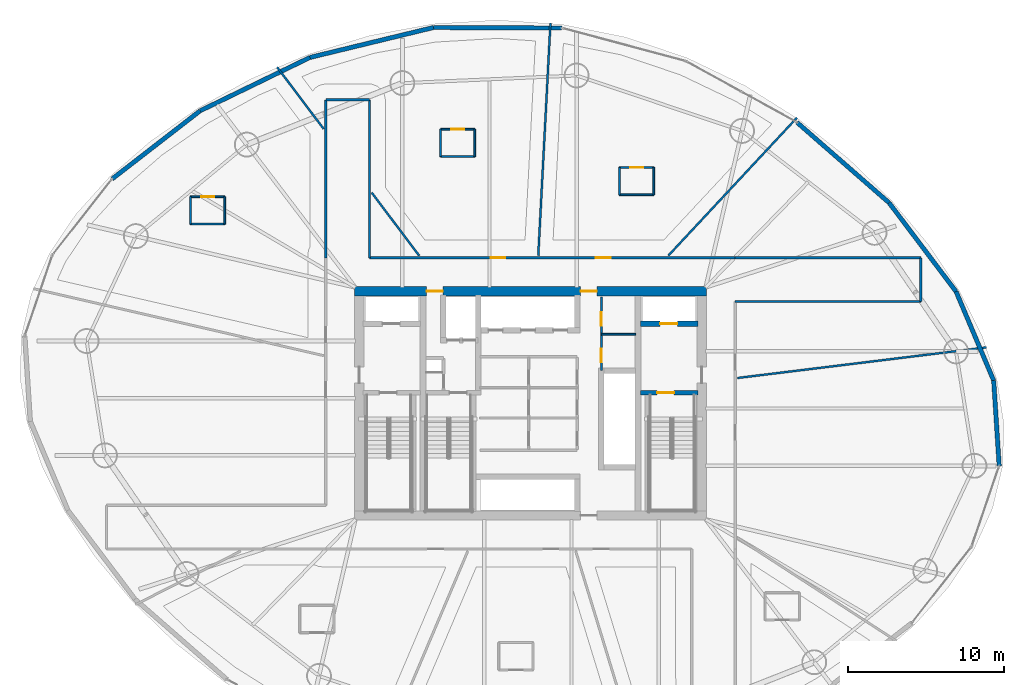
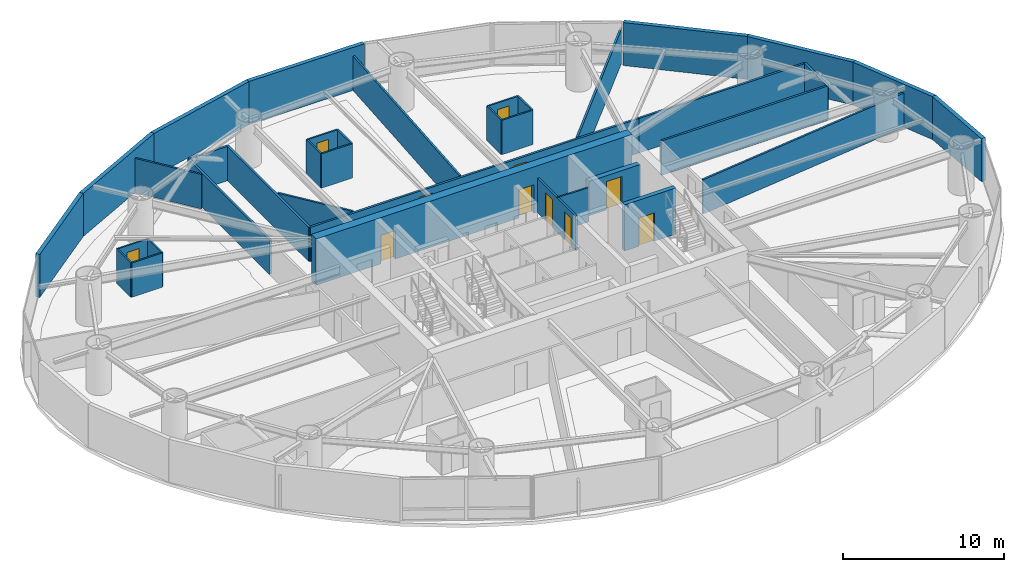
# One storey, part 18 of 23: 37 walls, 11 doors, 11 openings.
"""IFC4 building model written with IfcOpenShell, lengths in metres."""

import ifcopenshell
import ifcopenshell.guid

model = None  # the IFC model being written
_history = None  # IfcOwnerHistory: only IFC2X3 demands one
_inside = {}  # id of a spatial element -> (the spatial element, [elements in it])
_under = {}  # id of a project, library or spatial element -> (it, [spatial elements below it])
_declared = {}  # id of a project -> (the project, [libraries it declares])
_typed = {}  # id of a type object -> (the type object, [elements of that type])
_made_of = {}  # id of a material, layer set ... -> (it, [elements and type objects made of it])


def new_model(schema):
    """Start an empty IFC model of exactly this schema.

    Asked for "IFC4X3", IfcOpenShell would pick the latest addendum, in which some entities
    have other attributes; the version numbers below select the first issue.
    IFC2X3 requires an IfcOwnerHistory on every rooted entity: one is made here for all.
    """
    global model, _history
    if schema == "IFC4X3":
        model = ifcopenshell.file(schema_version=(4, 3, 0, 0))
    else:
        model = ifcopenshell.file(schema=schema)
    _inside.clear()
    _under.clear()
    _declared.clear()
    _typed.clear()
    _made_of.clear()
    _history = None
    if model.schema == "IFC2X3":
        org = make("IfcOrganization", Name="unknown")
        user = make(
            "IfcPersonAndOrganization",
            ThePerson=make("IfcPerson", FamilyName="unknown"),
            TheOrganization=org,
        )
        app = make(
            "IfcApplication",
            ApplicationDeveloper=org,
            Version="unknown",
            ApplicationFullName="unknown",
            ApplicationIdentifier="unknown",
        )
        _history = make(
            "IfcOwnerHistory",
            OwningUser=user,
            OwningApplication=app,
            ChangeAction="ADDED",
            CreationDate=0,
        )
    return model


def make(cls, **values):
    """One entity of the class cls with the attributes given. An attribute that is None is left unset."""
    return model.create_entity(
        cls, **{name: value for name, value in values.items() if value is not None}
    )


def rooted(cls, **values):
    """An entity with a GlobalId (a new one), such as an element, a storey or a relation."""
    return make(cls, GlobalId=ifcopenshell.guid.new(), OwnerHistory=_history, **values)


def si_unit(unit_type, name, prefix=None):
    """IfcSIUnit, for example si_unit("LENGTHUNIT", "METRE", prefix="MILLI")."""
    return make("IfcSIUnit", UnitType=unit_type, Prefix=prefix, Name=name)


def assignment(units):
    """IfcUnitAssignment: the units of a project."""
    return None if units is None else make("IfcUnitAssignment", Units=units)


def point(xyz):
    """IfcCartesianPoint."""
    return None if xyz is None else make("IfcCartesianPoint", Coordinates=xyz)


def direction(xyz):
    """IfcDirection."""
    return None if xyz is None else make("IfcDirection", DirectionRatios=xyz)


def frame(location, z_axis=None, x_axis=None):
    """IfcAxis2Placement3D, a coordinate frame: its origin and axes. An axis left out is left unset."""
    return make(
        "IfcAxis2Placement3D",
        Location=point(location),
        Axis=direction(z_axis),
        RefDirection=direction(x_axis),
    )


def frame_2d(location, x_axis=None):
    """IfcAxis2Placement2D, a coordinate frame in the plane: its origin and x axis."""
    return make(
        "IfcAxis2Placement2D", Location=point(location), RefDirection=direction(x_axis)
    )


def origin():
    """The frame at (0, 0, 0) with its axes left unset."""
    return frame((0.0, 0.0, 0.0))


def place(relative_to, where):
    """IfcLocalPlacement: puts the frame where relative to a parent placement (None: the world)."""
    return make(
        "IfcLocalPlacement", PlacementRelTo=relative_to, RelativePlacement=where
    )


def context(
    kind, dimensions, precision=None, world=None, true_north=None, identifier=None
):
    """IfcGeometricRepresentationContext, for example the 3D "Model" context."""
    return make(
        "IfcGeometricRepresentationContext",
        ContextIdentifier=identifier,
        ContextType=kind,
        CoordinateSpaceDimension=dimensions,
        Precision=precision,
        WorldCoordinateSystem=world,
        TrueNorth=true_north,
    )


def subcontext(parent, identifier, kind, view, scale=None):
    """IfcGeometricRepresentationSubContext, for example "Body" below "Model"."""
    return make(
        "IfcGeometricRepresentationSubContext",
        ContextIdentifier=identifier,
        ContextType=kind,
        ParentContext=parent,
        TargetScale=scale,
        TargetView=view,
    )


def project(units=None, contexts=None):
    """IfcProject with its units and contexts."""
    return rooted(
        "IfcProject",
        Name="project",
        RepresentationContexts=contexts,
        UnitsInContext=assignment(units),
    )


def spatial(cls, under=None, at=None, **own):
    """A site, building, storey or space (cls), placed at a placement, below another one or the project."""
    s = rooted(cls, ObjectPlacement=at, **own)
    if under is not None:
        _under.setdefault(under.id(), (under, []))[1].append(s)
    return s


def profile(cls, at=None, kind="AREA", **sizes):
    """A parametric profile (cls). Its sizes go by their IFC names, for example OverallWidth=200.0."""
    return make(cls, ProfileType=kind, Position=at, **sizes)


def rectangle(**sizes):
    """IfcRectangleProfileDef."""
    return profile("IfcRectangleProfileDef", **sizes)


def extrude(swept, where, along, depth):
    """IfcExtrudedAreaSolid: the profile swept, set in the frame where, extruded along a direction by depth."""
    return make(
        "IfcExtrudedAreaSolid",
        SweptArea=swept,
        Position=where,
        ExtrudedDirection=direction(along),
        Depth=depth,
    )


def shape(context_of_items, identifier, shape_type, items):
    """IfcShapeRepresentation: the items that make up one representation, for example the "Body"."""
    return make(
        "IfcShapeRepresentation",
        ContextOfItems=context_of_items,
        RepresentationIdentifier=identifier,
        RepresentationType=shape_type,
        Items=items,
    )


def material(Name=None, Category=None):
    """IfcMaterial."""
    return make("IfcMaterial", Name=Name, Category=Category)


def layer(
    of_material, thickness, ventilated=None, Name=None, Category=None, Priority=None
):
    """IfcMaterialLayer: one layer of a wall or slab, of a material (None: an air gap)."""
    return make(
        "IfcMaterialLayer",
        Material=of_material,
        LayerThickness=thickness,
        IsVentilated=ventilated,
        Name=Name,
        Category=Category,
        Priority=Priority,
    )


def layer_set(layers, Name=None):
    """IfcMaterialLayerSet."""
    return make("IfcMaterialLayerSet", MaterialLayers=layers, LayerSetName=Name)


def made_of(thing, what):
    """Note that an element or type object is made of a material, layer set ...; save() writes the relation."""
    if what is not None:
        _made_of.setdefault(what.id(), (what, []))[1].append(thing)
    return thing


def type_object(cls, material=None, **own):
    """A type object (cls), such as IfcWallType, which elements share."""
    return made_of(rooted(cls, **own), material)


def element(
    cls,
    number,
    at=None,
    inside=None,
    cuts=None,
    type_object=None,
    material=None,
    context=None,
    identifier="Body",
    shape_type=None,
    held_by="IfcProductDefinitionShape",
    body=None,
    shapes=None,
    **own,
):
    """One element of the class cls, such as IfcWall. Its Tag is "e" and its number.

    at: its placement. inside: the storey or other place that contains it. cuts: it is an
    opening in that element (IfcRelVoidsElement). A single representation is given by context,
    identifier, shape_type and body (its items); several are given by shapes. held_by: the class
    of the entity that holds the representations. save() writes the other relations.
    """
    e = rooted(cls, Tag="e%d" % number, ObjectPlacement=at, **own)
    if body is not None:
        shapes = [shape(context, identifier, shape_type, body)]
    if shapes is not None:
        e.Representation = make(held_by, Representations=shapes)
    if inside is not None:
        _inside.setdefault(inside.id(), (inside, []))[1].append(e)
    if cuts is not None:
        rooted(
            "IfcRelVoidsElement", RelatingBuildingElement=cuts, RelatedOpeningElement=e
        )
    if type_object is not None:
        _typed.setdefault(type_object.id(), (type_object, []))[1].append(e)
    return made_of(e, material)


def fill(opening, filler):
    """IfcRelFillsElement: the door or window that sits in an opening."""
    return rooted(
        "IfcRelFillsElement",
        RelatingOpeningElement=opening,
        RelatedBuildingElement=filler,
    )


def aggregate(whole, parts):
    """IfcRelAggregates: a whole, such as a stair, and the parts it consists of."""
    return rooted("IfcRelAggregates", RelatingObject=whole, RelatedObjects=parts)


def save(model, path):
    """Write the relations noted so far, then the file.

    IfcRelAggregates (storeys below a building ...), IfcRelContainedInSpatialStructure (elements
    in a storey), IfcRelDefinesByType, IfcRelAssociatesMaterial and IfcRelDeclares: one each for
    every whole, place, type object, material and project.
    """
    for whole, parts in _under.values():
        aggregate(whole, parts)
    for where, things in _inside.values():
        rooted(
            "IfcRelContainedInSpatialStructure",
            RelatedElements=things,
            RelatingStructure=where,
        )
    for kind, things in _typed.values():
        rooted("IfcRelDefinesByType", RelatedObjects=things, RelatingType=kind)
    for what, things in _made_of.values():
        rooted("IfcRelAssociatesMaterial", RelatedObjects=things, RelatingMaterial=what)
    for by, libraries in _declared.values():
        rooted("IfcRelDeclares", RelatingContext=by, RelatedDefinitions=libraries)
    model.write(path)


model = new_model("IFC4")

# Units and contexts
model_context = context("Model", 3, precision=1e-05, world=origin(), true_north=direction((0.0, 1.0)))
body_context = subcontext(model_context, "Body", "Model", "MODEL_VIEW")
ifc_project = project(units=[si_unit("LENGTHUNIT", "METRE"), si_unit("AREAUNIT", "SQUARE_METRE"), si_unit("VOLUMEUNIT", "CUBIC_METRE"), si_unit("PLANEANGLEUNIT", "RADIAN"), si_unit("MASSUNIT", "GRAM", prefix="KILO")], contexts=[model_context])

# Site, building, storey
site_placement = place(None, origin())
site = spatial("IfcSite", under=ifc_project, at=site_placement, CompositionType="ELEMENT")
building_placement = place(site_placement, origin())
building = spatial("IfcBuilding", under=site, at=building_placement, Name="Bramvorn Convention Spire", CompositionType="ELEMENT")
storey_placement = place(building_placement, frame((0.0, 0.0, 65.89990234375)))
storey = spatial("IfcBuildingStorey", under=building, at=storey_placement, Name="L14", CompositionType="ELEMENT", Elevation=65.89990234375)

# Wall, openings, doors
ifc_material_1 = material(Name="Concrete C60/70", Category="concrete")
ifc_layer_1 = layer(ifc_material_1, 0.60009765625)
ifc_layer_set_1 = layer_set([ifc_layer_1], Name="Concrete C60/70 - WL-CORE-600")
wall_type_1 = type_object("IfcWallType", Name="WL-CORE-600", PredefinedType="SHEAR", material=ifc_layer_set_1)
wall_1_placement = place(storey_placement, frame((26.699951171875, 33.199951171875, 0.0), z_axis=(0.0, 0.0, 1.0), x_axis=(1.0, 0.0, 0.0)))
wall_1 = element("IfcWall", 1, at=wall_1_placement, inside=storey, type_object=wall_type_1, Name="L14 North RC core shear wall", PredefinedType="SHEAR", context=body_context, shape_type="SweptSolid", body=[
    extrude(rectangle(XDim=22.60009765625, YDim=0.60009765625, at=frame_2d((11.300048828125, 0.0))), origin(), (0.0, 0.0, 1.0), 3.5),
])
opening_1_placement = place(wall_1_placement, frame((4.6201171875, 0.0, 0.0)))
opening_1 = element("IfcOpeningElement", 2, at=opening_1_placement, cuts=wall_1, Name="Opening DL-105", PredefinedType="OPENING", context=body_context, shape_type="SweptSolid", body=[
    extrude(rectangle(XDim=1.050048828125, YDim=2.14990234375, at=frame_2d((0.52490234375, 1.074951171875))), frame((0.0, 0.31005859375, 0.0), z_axis=(0.0, -1.0, 0.0), x_axis=(1.0, 0.0, 0.0)), (0.0, 0.0, 1.0), 0.6201171875),
])
opening_2_placement = place(wall_1_placement, frame((14.52001953125, 0.0, 0.0)))
opening_2 = element("IfcOpeningElement", 3, at=opening_2_placement, cuts=wall_1, Name="Opening DL-105", PredefinedType="OPENING", context=body_context, shape_type="SweptSolid", body=[
    extrude(rectangle(XDim=1.050048828125, YDim=2.14990234375, at=frame_2d((0.52490234375, 1.074951171875))), frame((0.0, 0.31005859375, 0.0), z_axis=(0.0, -1.0, 0.0), x_axis=(1.0, 0.0, 0.0)), (0.0, 0.0, 1.0), 0.6201171875),
])
ifc_material_2 = material(Name="Smoke-Sealed Fire Lobby Timber-Core Door", Category="wood")
door_type_1 = type_object("IfcDoorType", Name="DR-LOBBY-1050", OperationType="NOTDEFINED", PredefinedType="DOOR", material=ifc_material_2)
door_1_placement = place(opening_1_placement, origin())
door_1 = element("IfcDoor", 4, at=door_1_placement, inside=storey, type_object=door_type_1, Name="L14 Service & Stair ST3 Lobby north corridor door", OperationType="SINGLE_SWING_LEFT", OverallHeight=2.14990234375, OverallWidth=1.050048828125, PredefinedType="DOOR", context=body_context, shape_type="SweptSolid", body=[
    extrude(rectangle(XDim=1.050048828125, YDim=2.14990234375, at=frame_2d((0.52490234375, 1.074951171875))), frame((0.0, 0.02490234375, 0.0), z_axis=(0.0, -1.0, 0.0), x_axis=(1.0, 0.0, 0.0)), (0.0, 0.0, 1.0), 0.050048828125),
])
fill(opening_1, door_1)
door_2_placement = place(opening_2_placement, origin())
door_2 = element("IfcDoor", 5, at=door_2_placement, inside=storey, type_object=door_type_1, Name="L14 North Lift Lobby fire door", OperationType="SINGLE_SWING_LEFT", OverallHeight=2.14990234375, OverallWidth=1.050048828125, PredefinedType="DOOR", context=body_context, shape_type="SweptSolid", body=[
    extrude(rectangle(XDim=1.050048828125, YDim=2.14990234375, at=frame_2d((0.52490234375, 1.074951171875))), frame((0.0, 0.02490234375, 0.0), z_axis=(0.0, -1.0, 0.0), x_axis=(1.0, 0.0, 0.0)), (0.0, 0.0, 1.0), 0.050048828125),
])
fill(opening_2, door_2)

# Wall, opening, door
ifc_material_3 = material(Name="Concrete C50/60", Category="concrete")
ifc_layer_2 = layer(ifc_material_3, 0.35009765625)
ifc_layer_set_2 = layer_set([ifc_layer_2], Name="Concrete C50/60 - WL-CORE-INT-350")
wall_type_2 = type_object("IfcWallType", Name="WL-CORE-INT-350", PredefinedType="SHEAR", material=ifc_layer_set_2)
wall_2_placement = place(storey_placement, frame((45.080078125, 31.1201171875, 0.0), z_axis=(0.0, 0.0, 1.0), x_axis=(1.0, 0.0, 0.0)))
wall_2 = element("IfcWall", 6, at=wall_2_placement, inside=storey, type_object=wall_type_2, Name="L14 FE2 shaft front wall", PredefinedType="SHEAR", context=body_context, shape_type="SweptSolid", body=[
    extrude(rectangle(XDim=3.669921875, YDim=0.35009765625, at=frame_2d((1.8349609375, 0.0))), origin(), (0.0, 0.0, 1.0), 2.60009765625),
])
opening_3_placement = place(wall_2_placement, frame((1.25, 0.0, 0.0)))
opening_3 = element("IfcOpeningElement", 7, at=opening_3_placement, cuts=wall_2, Name="Opening LD-110", PredefinedType="OPENING", context=body_context, shape_type="SweptSolid", body=[
    extrude(rectangle(XDim=1.10009765625, YDim=2.14990234375, at=frame_2d((0.550048828125, 1.074951171875))), frame((0.0, 0.18505859375, 0.0), z_axis=(0.0, -1.0, 0.0), x_axis=(1.0, 0.0, 0.0)), (0.0, 0.0, 1.0), 0.3701171875),
])
ifc_material_4 = material(Name="Firefighting & Service Lift Sliding Landing Door", Category="steel")
door_type_2 = type_object("IfcDoorType", Name="DR-LIFT-LD-1100", OperationType="NOTDEFINED", PredefinedType="DOOR", material=ifc_material_4)
door_3_placement = place(opening_3_placement, origin())
door_3 = element("IfcDoor", 8, at=door_3_placement, inside=storey, type_object=door_type_2, Name="L14 Lift FE2 Sliding Landing Door", OperationType="SLIDING_TO_LEFT", OverallHeight=2.14990234375, OverallWidth=1.10009765625, PredefinedType="DOOR", context=body_context, shape_type="SweptSolid", body=[
    extrude(rectangle(XDim=1.10009765625, YDim=2.14990234375, at=frame_2d((0.550048828125, 1.074951171875))), frame((0.0, 0.02490234375, 0.0), z_axis=(0.0, -1.0, 0.0), x_axis=(1.0, 0.0, 0.0)), (0.0, 0.0, 1.0), 0.050048828125),
])
fill(opening_3, door_3)

# Walls
ifc_material_5 = material(Name="Precast Concrete C40/50 with Bronze Terracotta Rainscreen", Category="masonry")
ifc_layer_3 = layer(ifc_material_5, 0.300048828125)
ifc_layer_set_3 = layer_set([ifc_layer_3], Name="Precast Concrete C40/50 with Bronze Terracotta Rainscreen - WL-EXT-BRONZE-300")
wall_type_3 = type_object("IfcWallType", Name="WL-EXT-BRONZE-300", PredefinedType="SOLIDWALL", material=ifc_layer_set_3)
wall_3_placement = place(storey_placement, frame((67.759521484375, 27.468017578125, 0.0), z_axis=(0.0, 0.0, 1.0), x_axis=(0.064308089631, -0.997930092546, 0.0)))
element("IfcWall", 9, at=wall_3_placement, inside=storey, type_object=wall_type_3, Name="L14 expressed bronze Gothic lancet pier wall 01", PredefinedType="SOLIDWALL", context=body_context, shape_type="SweptSolid", body=[
    extrude(rectangle(XDim=5.497314453125, YDim=0.280029296875, at=frame_2d((2.74853515625, 0.0))), origin(), (0.0, 0.0, 1.0), 3.25),
])
wall_4_placement = place(storey_placement, frame((65.340087890625, 33.189697265625, 0.0), z_axis=(0.0, 0.0, 1.0), x_axis=(0.38946562283, -0.921041002689, 0.0)))
element("IfcWall", 10, at=wall_4_placement, inside=storey, type_object=wall_type_3, Name="L14 expressed bronze Gothic lancet pier wall 02", PredefinedType="SOLIDWALL", context=body_context, shape_type="SweptSolid", body=[
    extrude(rectangle(XDim=6.212158203125, YDim=0.280029296875, at=frame_2d((3.10595703125, 0.0))), origin(), (0.0, 0.0, 1.0), 3.25),
])
wall_5_placement = place(storey_placement, frame((61.037841796875, 38.891357421875, 0.0), z_axis=(0.0, 0.0, 1.0), x_axis=(0.602327192547, -0.798249305116, 0.0)))
element("IfcWall", 11, at=wall_5_placement, inside=storey, type_object=wall_type_3, Name="L14 expressed bronze Gothic lancet pier wall 03", PredefinedType="SOLIDWALL", context=body_context, shape_type="SweptSolid", body=[
    extrude(rectangle(XDim=7.142822265625, YDim=0.280029296875, at=frame_2d((3.5712890625, 0.0))), origin(), (0.0, 0.0, 1.0), 3.25),
])
wall_6_placement = place(storey_placement, frame((55.127685546875, 44.05029296875, 0.0), z_axis=(0.0, 0.0, 1.0), x_axis=(0.753362705376, -0.657605226673, 0.0)))
element("IfcWall", 12, at=wall_6_placement, inside=storey, type_object=wall_type_3, Name="L14 expressed bronze Gothic lancet pier wall 04", PredefinedType="SOLIDWALL", context=body_context, shape_type="SweptSolid", body=[
    extrude(rectangle(XDim=7.844970703125, YDim=0.280029296875, at=frame_2d((3.92236328125, 0.0))), origin(), (0.0, 0.0, 1.0), 3.25),
])
wall_7_placement = place(storey_placement, frame((31.76611328125, 50.15185546875, 0.0), z_axis=(0.0, 0.0, 1.0), x_axis=(0.999990900598, -0.004265995843, 0.0)))
element("IfcWall", 13, at=wall_7_placement, inside=storey, type_object=wall_type_3, Name="L14 expressed bronze Gothic lancet pier wall 07", PredefinedType="SOLIDWALL", context=body_context, shape_type="SweptSolid", body=[
    extrude(rectangle(XDim=8.240966796875, YDim=0.280029296875, at=frame_2d((4.12060546875, 0.0))), origin(), (0.0, 0.0, 1.0), 3.25),
])
wall_8_placement = place(storey_placement, frame((23.8251953125, 48.226806640625, 0.0), z_axis=(0.0, 0.0, 1.0), x_axis=(0.971850727629, 0.235597460104, 0.0)))
element("IfcWall", 14, at=wall_8_placement, inside=storey, type_object=wall_type_3, Name="L14 expressed bronze Gothic lancet pier wall 08", PredefinedType="SOLIDWALL", context=body_context, shape_type="SweptSolid", body=[
    extrude(rectangle(XDim=8.1708984375, YDim=0.280029296875, at=frame_2d((4.08544921875, 0.0))), origin(), (0.0, 0.0, 1.0), 3.25),
])
wall_9_placement = place(storey_placement, frame((16.769287109375, 44.798095703125, 0.0), z_axis=(0.0, 0.0, 1.0), x_axis=(0.899430218245, 0.437064391718, 0.0)))
element("IfcWall", 15, at=wall_9_placement, inside=storey, type_object=wall_type_3, Name="L14 expressed bronze Gothic lancet pier wall 09", PredefinedType="SOLIDWALL", context=body_context, shape_type="SweptSolid", body=[
    extrude(rectangle(XDim=7.844970703125, YDim=0.280029296875, at=frame_2d((3.92236328125, 0.0))), origin(), (0.0, 0.0, 1.0), 3.25),
])
wall_10_placement = place(storey_placement, frame((11.12255859375, 40.423828125, 0.0), z_axis=(0.0, 0.0, 1.0), x_axis=(0.790547015507, 0.612401352278, 0.0)))
element("IfcWall", 16, at=wall_10_placement, inside=storey, type_object=wall_type_3, Name="L14 expressed bronze Gothic lancet pier wall 10", PredefinedType="SOLIDWALL", context=body_context, shape_type="SweptSolid", body=[
    extrude(rectangle(XDim=7.142822265625, YDim=0.280029296875, at=frame_2d((3.5712890625, 0.0))), origin(), (0.0, 0.0, 1.0), 3.25),
])
ifc_material_6 = material(Name="Lightweight En-Suite & Wet-Wall Partition", Category="gypsum")
ifc_layer_4 = layer(ifc_material_6, 0.110107421875)
ifc_layer_set_4 = layer_set([ifc_layer_4], Name="Lightweight En-Suite & Wet-Wall Partition - WL-PART-110")
wall_type_4 = type_object("IfcWallType", Name="WL-PART-110", PredefinedType="PARTITIONING", material=ifc_layer_set_4)
for number, where, z_axis, x_axis, name in (
    (17, (42.550048828125, 30.449951171875, 0.0), (0.0, 0.0, 1.0), (1.0, 0.0, 0.0), "L14 KB NE divider"),
    (18, (43.71337890625, 39.401123046875, 0.0), (0.0, 0.0, 1.0), (1.0, 0.0, 0.0), "Hotel Suite 1402 en-suite south wall"),
):
    element("IfcWall", number, at=place(storey_placement, frame(where, z_axis=z_axis, x_axis=x_axis)), inside=storey, type_object=wall_type_4, Name=name, PredefinedType="PARTITIONING", context=body_context, shape_type="SweptSolid", body=[
        extrude(rectangle(XDim=2.199951171875, YDim=0.110107421875, at=frame_2d((1.10009765625, 0.0))), origin(), (0.0, 0.0, 1.0), 2.60009765625),
    ])

# Wall, opening, door
wall_11_placement = place(storey_placement, frame((43.71337890625, 41.1611328125, 0.0), z_axis=(0.0, 0.0, 1.0), x_axis=(1.0, 0.0, 0.0)))
wall_11 = element("IfcWall", 19, at=wall_11_placement, inside=storey, type_object=wall_type_4, Name="Hotel Suite 1402 en-suite north wall", PredefinedType="PARTITIONING", context=body_context, shape_type="SweptSolid", body=[
    extrude(rectangle(XDim=2.199951171875, YDim=0.110107421875, at=frame_2d((1.10009765625, 0.0))), origin(), (0.0, 0.0, 1.0), 2.60009765625),
])
opening_4_placement = place(wall_11_placement, frame((0.679931640625, 0.0, 0.0)))
opening_4 = element("IfcOpeningElement", 20, at=opening_4_placement, cuts=wall_11, Name="Opening DI-085", PredefinedType="OPENING", context=body_context, shape_type="SweptSolid", body=[
    extrude(rectangle(XDim=0.85009765625, YDim=2.10009765625, at=frame_2d((0.425048828125, 1.050048828125))), frame((0.0, 0.06494140625, 0.0), z_axis=(0.0, -1.0, 0.0), x_axis=(1.0, 0.0, 0.0)), (0.0, 0.0, 1.0), 0.130126953125),
])
ifc_material_7 = material(Name="En-Suite & Restroom Privacy Door", Category="wood")
door_type_3 = type_object("IfcDoorType", Name="DR-INT-850", OperationType="NOTDEFINED", PredefinedType="DOOR", material=ifc_material_7)
door_4_placement = place(opening_4_placement, origin())
door_4 = element("IfcDoor", 21, at=door_4_placement, inside=storey, type_object=door_type_3, Name="Hotel Suite 1402 En-Suite Bathroom door", OperationType="SINGLE_SWING_LEFT", OverallHeight=2.10009765625, OverallWidth=0.85009765625, PredefinedType="DOOR", context=body_context, shape_type="SweptSolid", body=[
    extrude(rectangle(XDim=0.85009765625, YDim=2.10009765625, at=frame_2d((0.425048828125, 1.050048828125))), frame((0.0, 0.02490234375, 0.0), z_axis=(0.0, -1.0, 0.0), x_axis=(1.0, 0.0, 0.0)), (0.0, 0.0, 1.0), 0.050048828125),
])
fill(opening_4, door_4)

# Walls
for number, where, z_axis, x_axis, name in (
    (22, (43.71337890625, 39.401123046875, 0.0), (0.0, 0.0, 1.0), (0.0, 1.0, 0.0), "Hotel Suite 1402 en-suite west wall"),
    (23, (45.913330078125, 39.401123046875, 0.0), (0.0, 0.0, 1.0), (0.0, 1.0, 0.0), "Hotel Suite 1402 en-suite east wall"),
):
    element("IfcWall", number, at=place(storey_placement, frame(where, z_axis=z_axis, x_axis=x_axis)), inside=storey, type_object=wall_type_4, Name=name, PredefinedType="PARTITIONING", context=body_context, shape_type="SweptSolid", body=[
        extrude(rectangle(XDim=1.760009765625, YDim=0.110107421875, at=frame_2d((0.8798828125, 0.0))), origin(), (0.0, 0.0, 1.0), 2.60009765625),
    ])
wall_12_placement = place(storey_placement, frame((32.222900390625, 41.858642578125, 0.0), z_axis=(0.0, 0.0, 1.0), x_axis=(1.0, 0.0, 0.0)))
element("IfcWall", 24, at=wall_12_placement, inside=storey, type_object=wall_type_4, Name="Hotel Suite 1403 en-suite south wall", PredefinedType="PARTITIONING", context=body_context, shape_type="SweptSolid", body=[
    extrude(rectangle(XDim=2.199951171875, YDim=0.110107421875, at=frame_2d((1.10009765625, 0.0))), origin(), (0.0, 0.0, 1.0), 2.60009765625),
])

# Wall, opening, door
wall_13_placement = place(storey_placement, frame((32.222900390625, 43.61865234375, 0.0), z_axis=(0.0, 0.0, 1.0), x_axis=(1.0, 0.0, 0.0)))
wall_13 = element("IfcWall", 25, at=wall_13_placement, inside=storey, type_object=wall_type_4, Name="Hotel Suite 1403 en-suite north wall", PredefinedType="PARTITIONING", context=body_context, shape_type="SweptSolid", body=[
    extrude(rectangle(XDim=2.199951171875, YDim=0.110107421875, at=frame_2d((1.10009765625, 0.0))), origin(), (0.0, 0.0, 1.0), 2.60009765625),
])
opening_5_placement = place(wall_13_placement, frame((0.679931640625, 0.0, 0.0)))
opening_5 = element("IfcOpeningElement", 26, at=opening_5_placement, cuts=wall_13, Name="Opening DI-085", PredefinedType="OPENING", context=body_context, shape_type="SweptSolid", body=[
    extrude(rectangle(XDim=0.85009765625, YDim=2.10009765625, at=frame_2d((0.425048828125, 1.050048828125))), frame((0.0, 0.06494140625, 0.0), z_axis=(0.0, -1.0, 0.0), x_axis=(1.0, 0.0, 0.0)), (0.0, 0.0, 1.0), 0.130126953125),
])
door_5_placement = place(opening_5_placement, origin())
door_5 = element("IfcDoor", 27, at=door_5_placement, inside=storey, type_object=door_type_3, Name="Hotel Suite 1403 En-Suite Bathroom door", OperationType="SINGLE_SWING_LEFT", OverallHeight=2.10009765625, OverallWidth=0.85009765625, PredefinedType="DOOR", context=body_context, shape_type="SweptSolid", body=[
    extrude(rectangle(XDim=0.85009765625, YDim=2.10009765625, at=frame_2d((0.425048828125, 1.050048828125))), frame((0.0, 0.02490234375, 0.0), z_axis=(0.0, -1.0, 0.0), x_axis=(1.0, 0.0, 0.0)), (0.0, 0.0, 1.0), 0.050048828125),
])
fill(opening_5, door_5)

# Walls
for number, where, z_axis, x_axis, name in (
    (28, (32.222900390625, 41.858642578125, 0.0), (0.0, 0.0, 1.0), (0.0, 1.0, 0.0), "Hotel Suite 1403 en-suite west wall"),
    (29, (34.4228515625, 41.858642578125, 0.0), (0.0, 0.0, 1.0), (0.0, 1.0, 0.0), "Hotel Suite 1403 en-suite east wall"),
):
    element("IfcWall", number, at=place(storey_placement, frame(where, z_axis=z_axis, x_axis=x_axis)), inside=storey, type_object=wall_type_4, Name=name, PredefinedType="PARTITIONING", context=body_context, shape_type="SweptSolid", body=[
        extrude(rectangle(XDim=1.760009765625, YDim=0.110107421875, at=frame_2d((0.8798828125, 0.0))), origin(), (0.0, 0.0, 1.0), 2.60009765625),
    ])
wall_14_placement = place(storey_placement, frame((16.149658203125, 37.5244140625, 0.0), z_axis=(0.0, 0.0, 1.0), x_axis=(1.0, 0.0, 0.0)))
element("IfcWall", 30, at=wall_14_placement, inside=storey, type_object=wall_type_4, Name="Hotel Suite 1404 en-suite south wall", PredefinedType="PARTITIONING", context=body_context, shape_type="SweptSolid", body=[
    extrude(rectangle(XDim=2.199951171875, YDim=0.110107421875, at=frame_2d((1.10009765625, 0.0))), origin(), (0.0, 0.0, 1.0), 2.60009765625),
])

# Wall, opening, door
wall_15_placement = place(storey_placement, frame((16.149658203125, 39.2841796875, 0.0), z_axis=(0.0, 0.0, 1.0), x_axis=(1.0, 0.0, 0.0)))
wall_15 = element("IfcWall", 31, at=wall_15_placement, inside=storey, type_object=wall_type_4, Name="Hotel Suite 1404 en-suite north wall", PredefinedType="PARTITIONING", context=body_context, shape_type="SweptSolid", body=[
    extrude(rectangle(XDim=2.199951171875, YDim=0.110107421875, at=frame_2d((1.10009765625, 0.0))), origin(), (0.0, 0.0, 1.0), 2.60009765625),
])
opening_6_placement = place(wall_15_placement, frame((0.679931640625, 0.0, 0.0)))
opening_6 = element("IfcOpeningElement", 32, at=opening_6_placement, cuts=wall_15, Name="Opening DI-085", PredefinedType="OPENING", context=body_context, shape_type="SweptSolid", body=[
    extrude(rectangle(XDim=0.85009765625, YDim=2.10009765625, at=frame_2d((0.425048828125, 1.050048828125))), frame((0.0, 0.06494140625, 0.0), z_axis=(0.0, -1.0, 0.0), x_axis=(1.0, 0.0, 0.0)), (0.0, 0.0, 1.0), 0.130126953125),
])
door_6_placement = place(opening_6_placement, origin())
door_6 = element("IfcDoor", 33, at=door_6_placement, inside=storey, type_object=door_type_3, Name="Hotel Suite 1404 En-Suite Bathroom door", OperationType="SINGLE_SWING_LEFT", OverallHeight=2.10009765625, OverallWidth=0.85009765625, PredefinedType="DOOR", context=body_context, shape_type="SweptSolid", body=[
    extrude(rectangle(XDim=0.85009765625, YDim=2.10009765625, at=frame_2d((0.425048828125, 1.050048828125))), frame((0.0, 0.02490234375, 0.0), z_axis=(0.0, -1.0, 0.0), x_axis=(1.0, 0.0, 0.0)), (0.0, 0.0, 1.0), 0.050048828125),
])
fill(opening_6, door_6)

# Walls
for number, where, z_axis, x_axis, name in (
    (34, (16.149658203125, 37.5244140625, 0.0), (0.0, 0.0, 1.0), (0.0, 1.0, 0.0), "Hotel Suite 1404 en-suite west wall"),
    (35, (18.349609375, 37.5244140625, 0.0), (0.0, 0.0, 1.0), (0.0, 1.0, 0.0), "Hotel Suite 1404 en-suite east wall"),
):
    element("IfcWall", number, at=place(storey_placement, frame(where, z_axis=z_axis, x_axis=x_axis)), inside=storey, type_object=wall_type_4, Name=name, PredefinedType="PARTITIONING", context=body_context, shape_type="SweptSolid", body=[
        extrude(rectangle(XDim=1.759765625, YDim=0.110107421875, at=frame_2d((0.8798828125, 0.0))), origin(), (0.0, 0.0, 1.0), 2.60009765625),
    ])

# Wall, openings, doors
ifc_material_8 = material(Name="Metal-Stud Demountable Office Partition", Category="gypsum")
ifc_layer_5 = layer(ifc_material_8, 0.1298828125)
ifc_layer_set_5 = layer_set([ifc_layer_5], Name="Metal-Stud Demountable Office Partition - WL-PART-130")
wall_type_5 = type_object("IfcWallType", Name="WL-PART-130", PredefinedType="PARTITIONING", material=ifc_layer_set_5)
wall_16_placement = place(storey_placement, frame((42.550048828125, 28.10009765625, 0.0), z_axis=(0.0, 0.0, 1.0), x_axis=(0.0, 1.0, 0.0)))
wall_16 = element("IfcWall", 36, at=wall_16_placement, inside=storey, type_object=wall_type_5, Name="L14 KB NE split wall", PredefinedType="PARTITIONING", context=body_context, shape_type="SweptSolid", body=[
    extrude(rectangle(XDim=4.75, YDim=0.1298828125, at=frame_2d((2.375, 0.0))), origin(), (0.0, 0.0, 1.0), 2.60009765625),
])
opening_7_placement = place(wall_16_placement, frame((0.550048828125, 0.0, 0.0)))
opening_7 = element("IfcOpeningElement", 37, at=opening_7_placement, cuts=wall_16, Name="Opening DC-085", PredefinedType="OPENING", context=body_context, shape_type="SweptSolid", body=[
    extrude(rectangle(XDim=0.85009765625, YDim=2.10009765625, at=frame_2d((0.425048828125, 1.050048828125))), frame((0.0, 0.074951171875, 0.0), z_axis=(0.0, -1.0, 0.0), x_axis=(1.0, 0.0, 0.0)), (0.0, 0.0, 1.0), 0.14990234375),
])
opening_8_placement = place(wall_16_placement, frame((2.89990234375, 0.0, 0.0)))
opening_8 = element("IfcOpeningElement", 38, at=opening_8_placement, cuts=wall_16, Name="Opening DC-085", PredefinedType="OPENING", context=body_context, shape_type="SweptSolid", body=[
    extrude(rectangle(XDim=0.85009765625, YDim=2.10009765625, at=frame_2d((0.425048828125, 1.050048828125))), frame((0.0, 0.074951171875, 0.0), z_axis=(0.0, -1.0, 0.0), x_axis=(1.0, 0.0, 0.0)), (0.0, 0.0, 1.0), 0.14990234375),
])
ifc_material_9 = material(Name="Fire-Rated Core Washroom & IDF Door", Category="wood")
door_type_4 = type_object("IfcDoorType", Name="DR-CORE-850", OperationType="NOTDEFINED", PredefinedType="DOOR", material=ifc_material_9)
door_7_placement = place(opening_7_placement, origin())
door_7 = element("IfcDoor", 39, at=door_7_placement, inside=storey, type_object=door_type_4, Name="L14 Core Staff WC door", OperationType="SINGLE_SWING_LEFT", OverallHeight=2.10009765625, OverallWidth=0.85009765625, PredefinedType="DOOR", context=body_context, shape_type="SweptSolid", body=[
    extrude(rectangle(XDim=0.85009765625, YDim=2.10009765625, at=frame_2d((0.425048828125, 1.050048828125))), frame((0.0, 0.02490234375, 0.0), z_axis=(0.0, -1.0, 0.0), x_axis=(1.0, 0.0, 0.0)), (0.0, 0.0, 1.0), 0.050048828125),
])
fill(opening_7, door_7)
door_8_placement = place(opening_8_placement, origin())
door_8 = element("IfcDoor", 40, at=door_8_placement, inside=storey, type_object=door_type_4, Name="L14 Core Data Closet door", OperationType="SINGLE_SWING_LEFT", OverallHeight=2.10009765625, OverallWidth=0.85009765625, PredefinedType="DOOR", context=body_context, shape_type="SweptSolid", body=[
    extrude(rectangle(XDim=0.85009765625, YDim=2.10009765625, at=frame_2d((0.425048828125, 1.050048828125))), frame((0.0, 0.02490234375, 0.0), z_axis=(0.0, -1.0, 0.0), x_axis=(1.0, 0.0, 0.0)), (0.0, 0.0, 1.0), 0.050048828125),
])
fill(opening_8, door_8)

# Walls
wall_17_placement = place(storey_placement, frame((51.2900390625, 27.6318359375, 0.0), z_axis=(0.0, 0.0, 1.0), x_axis=(0.992547020921, 0.12186226348, 0.0)))
element("IfcWall", 41, at=wall_17_placement, inside=storey, type_object=wall_type_5, Name="L14 Guestroom demising wall 1", PredefinedType="PARTITIONING", context=body_context, shape_type="SweptSolid", body=[
    extrude(rectangle(XDim=16.12939453125, YDim=0.1298828125, at=frame_2d((8.064697265625, 0.0))), origin(), (0.0, 0.0, 1.0), 2.60009765625),
])
wall_18_placement = place(storey_placement, frame((46.849609375, 35.489990234375, 0.0), z_axis=(0.0, 0.0, 1.0), x_axis=(0.681992512367, 0.731359154639, 0.0)))
element("IfcWall", 42, at=wall_18_placement, inside=storey, type_object=wall_type_5, Name="L14 Guestroom demising wall 2", PredefinedType="PARTITIONING", context=body_context, shape_type="SweptSolid", body=[
    extrude(rectangle(XDim=12.126220703125, YDim=0.1298828125, at=frame_2d((6.06298828125, 0.0))), origin(), (0.0, 0.0, 1.0), 2.60009765625),
])
wall_19_placement = place(storey_placement, frame((38.497314453125, 35.489990234375, 0.0), z_axis=(0.0, 0.0, 1.0), x_axis=(0.052330232603, 0.998629834701, 0.0)))
element("IfcWall", 43, at=wall_19_placement, inside=storey, type_object=wall_type_5, Name="L14 Guestroom demising wall 3", PredefinedType="PARTITIONING", context=body_context, shape_type="SweptSolid", body=[
    extrude(rectangle(XDim=14.966552734375, YDim=0.1298828125, at=frame_2d((7.4833984375, 0.0))), origin(), (0.0, 0.0, 1.0), 2.60009765625),
])
wall_20_placement = place(storey_placement, frame((30.848876953125, 35.489990234375, 0.0), z_axis=(0.0, 0.0, 1.0), x_axis=(-0.601827595562, 0.798626035902, 0.0)))
element("IfcWall", 44, at=wall_20_placement, inside=storey, type_object=wall_type_5, Name="L14 Guestroom demising wall 4", PredefinedType="PARTITIONING", context=body_context, shape_type="SweptSolid", body=[
    extrude(rectangle(XDim=5.08251953125, YDim=0.1298828125, at=frame_2d((2.541259765625, 0.0))), origin(), (0.0, 0.0, 1.0), 2.60009765625),
])
wall_21_placement = place(storey_placement, frame((24.7099609375, 43.636474609375, 0.0), z_axis=(0.0, 0.0, 1.0), x_axis=(-0.601797590432, 0.798648646245, 0.0)))
element("IfcWall", 45, at=wall_21_placement, inside=storey, type_object=wall_type_5, Name="L14 Guestroom demising wall 4", PredefinedType="PARTITIONING", context=body_context, shape_type="SweptSolid", body=[
    extrude(rectangle(XDim=4.97216796875, YDim=0.1298828125, at=frame_2d((2.486083984375, 0.0))), origin(), (0.0, 0.0, 1.0), 2.60009765625),
])

# Wall, openings, doors
ifc_material_10 = material(Name="Acoustic Metal-Stud Tenant/Corridor Partition", Category="gypsum")
ifc_layer_6 = layer(ifc_material_10, 0.14990234375)
ifc_layer_set_6 = layer_set([ifc_layer_6], Name="Acoustic Metal-Stud Tenant/Corridor Partition - WL-PART-150")
wall_type_6 = type_object("IfcWallType", Name="WL-PART-150", PredefinedType="PARTITIONING", material=ifc_layer_set_6)
wall_22_placement = place(storey_placement, frame((27.64990234375, 35.35009765625, 0.0), z_axis=(0.0, 0.0, 1.0), x_axis=(1.0, 0.0, 0.0)))
wall_22 = element("IfcWall", 46, at=wall_22_placement, inside=storey, type_object=wall_type_6, Name="L14 North ring corridor wall", PredefinedType="PARTITIONING", context=body_context, shape_type="SweptSolid", body=[
    extrude(rectangle(XDim=23.5, YDim=0.14990234375, at=frame_2d((11.75, 0.0))), origin(), (0.0, 0.0, 1.0), 2.60009765625),
])
opening_9_placement = place(wall_22_placement, frame((14.55322265625, 0.0, 0.0)))
opening_9 = element("IfcOpeningElement", 47, at=opening_9_placement, cuts=wall_22, Name="Opening DH-095", PredefinedType="OPENING", context=body_context, shape_type="SweptSolid", body=[
    extrude(rectangle(XDim=0.949951171875, YDim=2.14990234375, at=frame_2d((0.47509765625, 1.074951171875))), frame((0.0, 0.0849609375, 0.0), z_axis=(0.0, -1.0, 0.0), x_axis=(1.0, 0.0, 0.0)), (0.0, 0.0, 1.0), 0.169921875),
])
opening_10_placement = place(wall_22_placement, frame((7.783935546875, 0.0, 0.0)))
opening_10 = element("IfcOpeningElement", 48, at=opening_10_placement, cuts=wall_22, Name="Opening DH-095", PredefinedType="OPENING", context=body_context, shape_type="SweptSolid", body=[
    extrude(rectangle(XDim=0.949951171875, YDim=2.14990234375, at=frame_2d((0.47509765625, 1.074951171875))), frame((0.0, 0.0849609375, 0.0), z_axis=(0.0, -1.0, 0.0), x_axis=(1.0, 0.0, 0.0)), (0.0, 0.0, 1.0), 0.169921875),
])
ifc_material_11 = material(Name="Solid-Core Acoustic Guestroom Entry Door", Category="wood")
door_type_5 = type_object("IfcDoorType", Name="DR-HOTEL-950", OperationType="NOTDEFINED", PredefinedType="DOOR", material=ifc_material_11)
door_9_placement = place(opening_9_placement, origin())
door_9 = element("IfcDoor", 49, at=door_9_placement, inside=storey, type_object=door_type_5, Name="Hotel Suite 1402 entry door", OperationType="SINGLE_SWING_RIGHT", OverallHeight=2.14990234375, OverallWidth=0.949951171875, PredefinedType="DOOR", context=body_context, shape_type="SweptSolid", body=[
    extrude(rectangle(XDim=0.949951171875, YDim=2.14990234375, at=frame_2d((0.47509765625, 1.074951171875))), frame((0.0, 0.02490234375, 0.0), z_axis=(0.0, -1.0, 0.0), x_axis=(1.0, 0.0, 0.0)), (0.0, 0.0, 1.0), 0.050048828125),
])
fill(opening_9, door_9)
door_10_placement = place(opening_10_placement, origin())
door_10 = element("IfcDoor", 50, at=door_10_placement, inside=storey, type_object=door_type_5, Name="Hotel Suite 1403 entry door", OperationType="SINGLE_SWING_LEFT", OverallHeight=2.14990234375, OverallWidth=0.949951171875, PredefinedType="DOOR", context=body_context, shape_type="SweptSolid", body=[
    extrude(rectangle(XDim=0.949951171875, YDim=2.14990234375, at=frame_2d((0.47509765625, 1.074951171875))), frame((0.0, 0.02490234375, 0.0), z_axis=(0.0, -1.0, 0.0), x_axis=(1.0, 0.0, 0.0)), (0.0, 0.0, 1.0), 0.050048828125),
])
fill(opening_10, door_10)

# Walls
for number, where, z_axis, x_axis, name in (
    (51, (51.14990234375, 35.35009765625, 0.0), (0.0, 0.0, 1.0), (1.0, 0.0, 0.0), "L14 NE pinwheel wing north wall"),
    (52, (51.14990234375, 32.550048828125, 0.0), (0.0, 0.0, 1.0), (1.0, 0.0, 0.0), "L14 NE pinwheel wing south wall"),
):
    element("IfcWall", number, at=place(storey_placement, frame(where, z_axis=z_axis, x_axis=x_axis)), inside=storey, type_object=wall_type_6, Name=name, PredefinedType="PARTITIONING", context=body_context, shape_type="SweptSolid", body=[
        extrude(rectangle(XDim=11.923583984375, YDim=0.14990234375, at=frame_2d((5.9619140625, 0.0))), origin(), (0.0, 0.0, 1.0), 2.60009765625),
    ])
wall_23_placement = place(storey_placement, frame((63.073486328125, 32.550048828125, 0.0), z_axis=(0.0, 0.0, 1.0), x_axis=(0.0, 1.0, 0.0)))
element("IfcWall", 53, at=wall_23_placement, inside=storey, type_object=wall_type_6, Name="L14 NE pinwheel end wall", PredefinedType="PARTITIONING", context=body_context, shape_type="SweptSolid", body=[
    extrude(rectangle(XDim=2.800048828125, YDim=0.14990234375, at=frame_2d((1.39990234375, 0.0))), origin(), (0.0, 0.0, 1.0), 2.60009765625),
])
for number, where, z_axis, x_axis, name in (
    (54, (24.85009765625, 35.35009765625, 0.0), (0.0, 0.0, 1.0), (0.0, 1.0, 0.0), "L14 NW pinwheel wing west wall"),
    (55, (27.64990234375, 35.35009765625, 0.0), (0.0, 0.0, 1.0), (0.0, 1.0, 0.0), "L14 NW pinwheel wing east wall"),
):
    element("IfcWall", number, at=place(storey_placement, frame(where, z_axis=z_axis, x_axis=x_axis)), inside=storey, type_object=wall_type_6, Name=name, PredefinedType="PARTITIONING", context=body_context, shape_type="SweptSolid", body=[
        extrude(rectangle(XDim=10.14990234375, YDim=0.14990234375, at=frame_2d((5.074951171875, 0.0))), origin(), (0.0, 0.0, 1.0), 2.60009765625),
    ])
wall_24_placement = place(storey_placement, frame((24.85009765625, 45.5, 0.0), z_axis=(0.0, 0.0, 1.0), x_axis=(1.0, 0.0, 0.0)))
element("IfcWall", 56, at=wall_24_placement, inside=storey, type_object=wall_type_6, Name="L14 NW pinwheel end wall", PredefinedType="PARTITIONING", context=body_context, shape_type="SweptSolid", body=[
    extrude(rectangle(XDim=2.7998046875, YDim=0.14990234375, at=frame_2d((1.39990234375, 0.0))), origin(), (0.0, 0.0, 1.0), 2.60009765625),
])

# Wall, opening, door
ifc_layer_7 = layer(ifc_material_3, 0.300048828125)
ifc_layer_set_7 = layer_set([ifc_layer_7], Name="Concrete C50/60 - WL-POD-STAIR-300")
wall_type_7 = type_object("IfcWallType", Name="WL-POD-STAIR-300", PredefinedType="SHEAR", material=ifc_layer_set_7)
wall_25_placement = place(storey_placement, frame((45.080078125, 26.68994140625, 0.0), z_axis=(0.0, 0.0, 1.0), x_axis=(1.0, 0.0, 0.0)))
wall_25 = element("IfcWall", 57, at=wall_25_placement, inside=storey, type_object=wall_type_7, Name="L14 ST2 north fire wall", PredefinedType="SHEAR", context=body_context, shape_type="SweptSolid", body=[
    extrude(rectangle(XDim=3.669921875, YDim=0.300048828125, at=frame_2d((1.8349609375, 0.0))), origin(), (0.0, 0.0, 1.0), 3.5),
])
opening_11_placement = place(wall_25_placement, frame((1.050048828125, 0.0, 0.0)))
opening_11 = element("IfcOpeningElement", 58, at=opening_11_placement, cuts=wall_25, Name="Opening DS-110", PredefinedType="OPENING", context=body_context, shape_type="SweptSolid", body=[
    extrude(rectangle(XDim=1.10009765625, YDim=2.14990234375, at=frame_2d((0.550048828125, 1.074951171875))), frame((0.0, 0.159912109375, 0.0), z_axis=(0.0, -1.0, 0.0), x_axis=(1.0, 0.0, 0.0)), (0.0, 0.0, 1.0), 0.320068359375),
])
ifc_material_12 = material(Name="Fire-Rated Hollow Steel Stairwell Door", Category="steel")
door_type_6 = type_object("IfcDoorType", Name="DR-STAIR-1100", OperationType="NOTDEFINED", PredefinedType="DOOR", material=ifc_material_12)
door_11_placement = place(opening_11_placement, origin())
door_11 = element("IfcDoor", 59, at=door_11_placement, inside=storey, type_object=door_type_6, Name="L14 Stair ST2 fire door", OperationType="SINGLE_SWING_RIGHT", OverallHeight=2.14990234375, OverallWidth=1.10009765625, PredefinedType="DOOR", context=body_context, shape_type="SweptSolid", body=[
    extrude(rectangle(XDim=1.10009765625, YDim=2.14990234375, at=frame_2d((0.550048828125, 1.074951171875))), frame((0.0, 0.02490234375, 0.0), z_axis=(0.0, -1.0, 0.0), x_axis=(1.0, 0.0, 0.0)), (0.0, 0.0, 1.0), 0.050048828125),
])
fill(opening_11, door_11)

save(model, "model.ifc")
